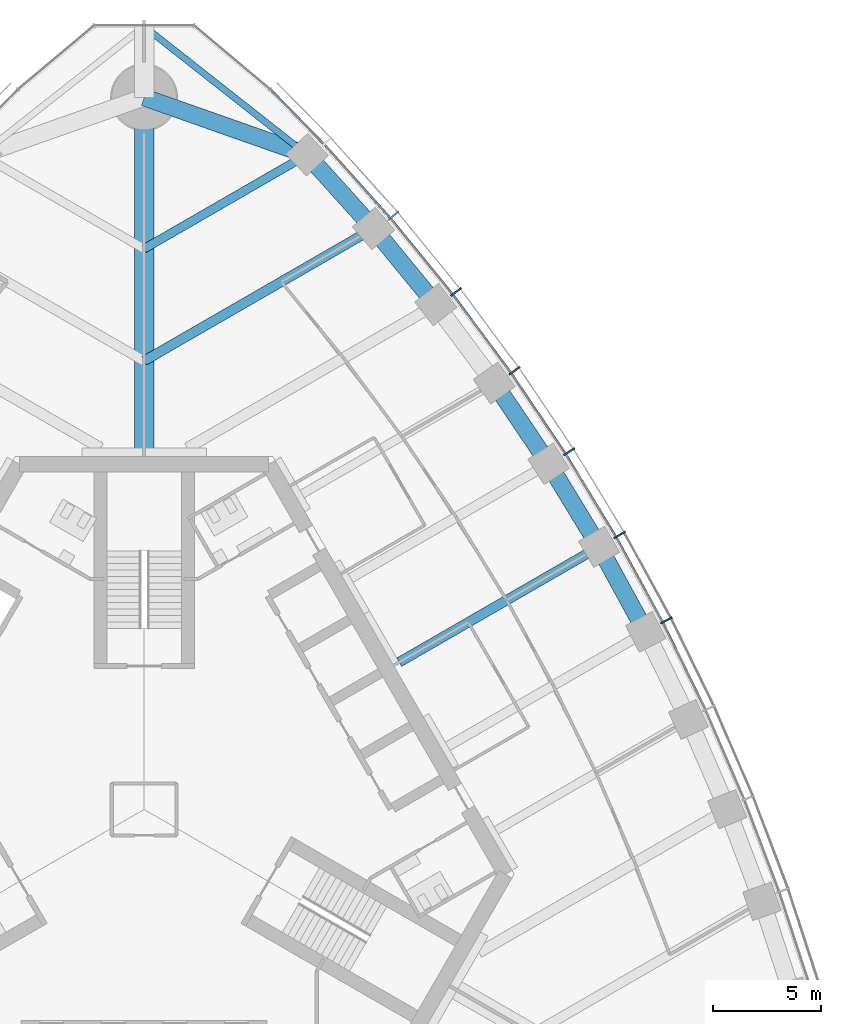
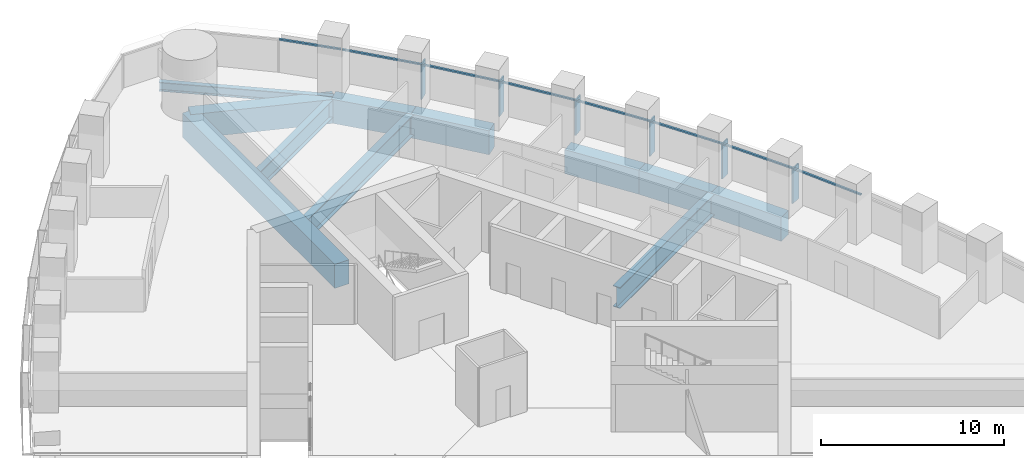
# One storey, part 7 of 19: 14 members, 11 beams, 1 element without a shape of its own.
"""IFC4 building model written with IfcOpenShell, lengths in metres."""

from ifc_helpers import new_model, si_unit, direction, frame, origin, origin_2d, place, context, subcontext, project, spatial, rectangle, i_section, extrude, material, material_profile, profile_set, type_object, element, aggregate, save


model = new_model("IFC4")

# Units and contexts
model_context = context("Model", 3, precision=1e-05, world=origin(), true_north=direction((0.0, 1.0)))
body_context = subcontext(model_context, "Body", "Model", "MODEL_VIEW")
ifc_project = project(units=[si_unit("LENGTHUNIT", "METRE"), si_unit("AREAUNIT", "SQUARE_METRE"), si_unit("VOLUMEUNIT", "CUBIC_METRE"), si_unit("PLANEANGLEUNIT", "RADIAN"), si_unit("MASSUNIT", "GRAM", prefix="KILO")], contexts=[model_context])

# Site, building, storey
site_placement = place(None, origin())
site = spatial("IfcSite", under=ifc_project, at=site_placement, CompositionType="ELEMENT")
building_placement = place(site_placement, origin())
building = spatial("IfcBuilding", under=site, at=building_placement, Name="Trefoil Bronze Tower", CompositionType="ELEMENT")
storey_placement = place(building_placement, frame((0.0, 0.0, 261.10009765625)))
storey = spatial("IfcBuildingStorey", under=building, at=storey_placement, Name="L60", CompositionType="ELEMENT", Elevation=261.10009765625)

# Curtain wall, members
ifc_material_1 = material(Name="Tinted solar-control glass", Category="glass")
curtain_wall_type = type_object("IfcCurtainWallType", Name="Bronze office curtain wall", PredefinedType="USERDEFINED", material=ifc_material_1)
curtain_wall_placement = place(storey_placement, origin())
curtain_wall = element("IfcCurtainWall", 1, at=curtain_wall_placement, inside=storey, type_object=curtain_wall_type, Name="CW-A L60 F2", ObjectType="CURTAIN WALL", PredefinedType="USERDEFINED")
ifc_material_2 = material(Name="Bronze-finish aluminium", Category="aluminium")
ifc_material_profile_1 = material_profile(ifc_material_2, rectangle(XDim=0.60009765625, YDim=0.080078125, at=origin_2d()), Name="CW-A mullion")
ifc_profile_set_1 = profile_set([ifc_material_profile_1], Name="Bronze-finish aluminium")
member_type_1 = type_object("IfcMemberType", Name="Bronze office curtain wall mullion", PredefinedType="MULLION", material=ifc_profile_set_1)
member_1_placement = place(storey_placement, frame((24.2080078125, 8.764404296875, 0.0), z_axis=(0.0, 0.0, 1.0), x_axis=(-0.888088206965, -0.459673075837, 0.0)))
member_1 = element("IfcMember", 2, at=member_1_placement, type_object=member_type_1, Name="CW-A L60 F2 mullion 6", PredefinedType="MULLION", context=body_context, shape_type="SweptSolid", body=[
    extrude(rectangle(XDim=0.60009765625, YDim=0.080078125, at=origin_2d()), origin(), (0.0, 0.0, 1.0), 2.349853515625),
])
member_2_placement = place(storey_placement, frame((22.041015625, 12.725341796875, 0.0), z_axis=(0.0, 0.0, 1.0), x_axis=(-0.866025403784, -0.5, 0.0)))
member_2 = element("IfcMember", 3, at=member_2_placement, type_object=member_type_1, Name="CW-A L60 F2 mullion 7", PredefinedType="MULLION", context=body_context, shape_type="SweptSolid", body=[
    extrude(rectangle(XDim=0.60009765625, YDim=0.080078125, at=origin_2d()), origin(), (0.0, 0.0, 1.0), 2.349853515625),
])
member_3_placement = place(storey_placement, frame((19.694091796875, 16.58251953125, 0.0), z_axis=(0.0, 0.0, 1.0), x_axis=(-0.842132664593, -0.539270410114, 0.0)))
member_3 = element("IfcMember", 4, at=member_3_placement, type_object=member_type_1, Name="CW-A L60 F2 mullion 8", PredefinedType="MULLION", context=body_context, shape_type="SweptSolid", body=[
    extrude(rectangle(XDim=0.60009765625, YDim=0.080078125, at=origin_2d()), origin(), (0.0, 0.0, 1.0), 2.349853515625),
])
member_4_placement = place(storey_placement, frame((17.167236328125, 20.335693359375, 0.0), z_axis=(0.0, 0.0, 1.0), x_axis=(-0.81640398396, -0.577481198806, 0.0)))
member_4 = element("IfcMember", 5, at=member_4_placement, type_object=member_type_1, Name="CW-A L60 F2 mullion 9", PredefinedType="MULLION", context=body_context, shape_type="SweptSolid", body=[
    extrude(rectangle(XDim=0.60009765625, YDim=0.080078125, at=origin_2d()), origin(), (0.0, 0.0, 1.0), 2.349853515625),
])
member_5_placement = place(storey_placement, frame((14.45849609375, 23.98388671875, 0.0), z_axis=(0.0, 0.0, 1.0), x_axis=(-0.788821461078, -0.614622406476, 0.0)))
member_5 = element("IfcMember", 6, at=member_5_placement, type_object=member_type_1, Name="CW-A L60 F2 mullion 10", PredefinedType="MULLION", context=body_context, shape_type="SweptSolid", body=[
    extrude(rectangle(XDim=0.60009765625, YDim=0.080078125, at=origin_2d()), origin(), (0.0, 0.0, 1.0), 2.349853515625),
])
member_6_placement = place(storey_placement, frame((11.564697265625, 27.525146484375, 0.0), z_axis=(0.0, 0.0, 1.0), x_axis=(-0.75935470958, -0.650676897576, 0.0)))
member_6 = element("IfcMember", 7, at=member_6_placement, type_object=member_type_1, Name="CW-A L60 F2 mullion 11", PredefinedType="MULLION", context=body_context, shape_type="SweptSolid", body=[
    extrude(rectangle(XDim=0.60009765625, YDim=0.080078125, at=origin_2d()), origin(), (0.0, 0.0, 1.0), 2.349853515625),
])
ifc_material_3 = material(Name="Bronze-finish aluminium", Category="aluminium")
ifc_material_profile_2 = material_profile(ifc_material_3, rectangle(XDim=0.1201171875, YDim=0.10009765625, at=origin_2d()), Name="CW-A transom")
ifc_profile_set_2 = profile_set([ifc_material_profile_2], Name="Bronze-finish aluminium")
member_type_2 = type_object("IfcMemberType", Name="Bronze office curtain wall transom", PredefinedType="USERDEFINED", material=ifc_profile_set_2)
member_7_placement = place(storey_placement, frame((25.99462890625, 4.65380859375, 2.2998046875), z_axis=(-0.439150835991, 0.898413347657, 0.0), x_axis=(-0.898413347657, -0.439150835991, 0.0)))
member_7 = element("IfcMember", 8, at=member_7_placement, type_object=member_type_2, Name="CW-A L60 F2 transom 5", ObjectType="TRANSOM", PredefinedType="USERDEFINED", context=body_context, shape_type="SweptSolid", body=[
    extrude(rectangle(XDim=0.1201171875, YDim=0.10009765625, at=origin_2d()), origin(), (0.0, 0.0, 1.0), 4.430908203125),
])
member_8_placement = place(storey_placement, frame((24.010009765625, 8.70947265625, 2.2998046875), z_axis=(-0.479973729071, 0.877282861683, 0.0), x_axis=(-0.877282861683, -0.479973729071, 0.0)))
member_8 = element("IfcMember", 9, at=member_8_placement, type_object=member_type_2, Name="CW-A L60 F2 transom 6", ObjectType="TRANSOM", PredefinedType="USERDEFINED", context=body_context, shape_type="SweptSolid", body=[
    extrude(rectangle(XDim=0.1201171875, YDim=0.10009765625, at=origin_2d()), origin(), (0.0, 0.0, 1.0), 4.421142578125),
])
member_9_placement = place(storey_placement, frame((21.845703125, 12.661376953125, 2.2998046875), z_axis=(-0.519740214649, 0.854324358354, 0.0), x_axis=(-0.854324358354, -0.519740214649, 0.0)))
member_9 = element("IfcMember", 10, at=member_9_placement, type_object=member_type_2, Name="CW-A L60 F2 transom 7", ObjectType="TRANSOM", PredefinedType="USERDEFINED", context=body_context, shape_type="SweptSolid", body=[
    extrude(rectangle(XDim=0.1201171875, YDim=0.10009765625, at=origin_2d()), origin(), (0.0, 0.0, 1.0), 4.421142578125),
])
member_10_placement = place(storey_placement, frame((19.502197265625, 16.509765625, 2.2998046875), z_axis=(-0.558509087547, 0.829498402125, 0.0), x_axis=(-0.829498402125, -0.558509087547, 0.0)))
member_10 = element("IfcMember", 11, at=member_10_placement, type_object=member_type_2, Name="CW-A L60 F2 transom 8", ObjectType="TRANSOM", PredefinedType="USERDEFINED", context=body_context, shape_type="SweptSolid", body=[
    extrude(rectangle(XDim=0.1201171875, YDim=0.10009765625, at=origin_2d()), origin(), (0.0, 0.0, 1.0), 4.4306640625),
])
member_11_placement = place(storey_placement, frame((16.978759765625, 20.254150390625, 2.2998046875), z_axis=(-0.59614822717, 0.802874393191, 0.0), x_axis=(-0.802874393191, -0.59614822717, 0.0)))
member_11 = element("IfcMember", 12, at=member_11_placement, type_object=member_type_2, Name="CW-A L60 F2 transom 9", ObjectType="TRANSOM", PredefinedType="USERDEFINED", context=body_context, shape_type="SweptSolid", body=[
    extrude(rectangle(XDim=0.1201171875, YDim=0.10009765625, at=origin_2d()), origin(), (0.0, 0.0, 1.0), 4.449951171875),
])
member_12_placement = place(storey_placement, frame((14.27392578125, 23.8935546875, 2.2998046875), z_axis=(-0.632756871921, 0.774350528531, 0.0), x_axis=(-0.774350528531, -0.632756871921, 0.0)))
member_12 = element("IfcMember", 13, at=member_12_placement, type_object=member_type_2, Name="CW-A L60 F2 transom 10", ObjectType="TRANSOM", PredefinedType="USERDEFINED", context=body_context, shape_type="SweptSolid", body=[
    extrude(rectangle(XDim=0.1201171875, YDim=0.10009765625, at=origin_2d()), origin(), (0.0, 0.0, 1.0), 4.4794921875),
])
member_13_placement = place(storey_placement, frame((11.384521484375, 27.426513671875, 2.2998046875), z_axis=(-0.66825109551, 0.743935799213, 0.0), x_axis=(-0.743935799213, -0.66825109551, 0.0)))
member_13 = element("IfcMember", 14, at=member_13_placement, type_object=member_type_2, Name="CW-A L60 F2 transom 11", ObjectType="TRANSOM", PredefinedType="USERDEFINED", context=body_context, shape_type="SweptSolid", body=[
    extrude(rectangle(XDim=0.1201171875, YDim=0.10009765625, at=origin_2d()), origin(), (0.0, 0.0, 1.0), 4.519287109375),
])
member_14_placement = place(storey_placement, frame((8.306884765625, 30.85009765625, 2.2998046875), z_axis=(-0.698646935368, 0.715466602785, 0.0), x_axis=(-0.715466602785, -0.698646935368, 0.0)))
member_14 = element("IfcMember", 15, at=member_14_placement, type_object=member_type_2, Name="CW-A L60 F2 transom 12", ObjectType="TRANSOM", PredefinedType="USERDEFINED", context=body_context, shape_type="SweptSolid", body=[
    extrude(rectangle(XDim=0.1201171875, YDim=0.10009765625, at=origin_2d()), origin(), (0.0, 0.0, 1.0), 3.483642578125),
])
aggregate(curtain_wall, [member_1, member_2, member_3, member_4, member_5, member_6, member_7, member_8, member_9, member_10, member_11, member_12, member_13, member_14])

# Beams
ifc_material_4 = material(Name="Steel C355", Category="steel")
ifc_material_profile_3 = material_profile(ifc_material_4, i_section(OverallWidth=0.300048828125, OverallDepth=0.60009765625, WebThickness=0.015380859375, FlangeThickness=0.030029296875, FilletRadius=0.027099609375, at=origin_2d()), Name="HEB 600")
ifc_profile_set_3 = profile_set([ifc_material_profile_3], Name="Steel C355")
beam_type_1 = type_object("IfcBeamType", Name="Corner edge beam HEB 600", PredefinedType="BEAM", material=ifc_profile_set_3)
beam_1_placement = place(storey_placement, frame((7.552001953125, 30.3408203125, -0.5), z_axis=(-0.785805912008, 0.618473175371, 0.0), x_axis=(-0.618473175371, -0.785805912008, 0.0)))
element("IfcBeam", 16, at=beam_1_placement, inside=storey, type_object=beam_type_1, Name="Corner edge beam F2A L60", PredefinedType="BEAM", context=body_context, shape_type="SweptSolid", body=[
    extrude(i_section(OverallWidth=0.300048828125, OverallDepth=0.60009765625, WebThickness=0.015380859375, FlangeThickness=0.030029296875, FilletRadius=0.027099609375, at=origin_2d()), origin(), (0.0, 0.0, 1.0), 9.610595703125),
])
ifc_material_5 = material(Name="Concrete B80", Category="concrete")
ifc_material_profile_4 = material_profile(ifc_material_5, rectangle(XDim=0.89990234375, YDim=1.60009765625, at=origin_2d()), Name="RC 900x1600")
ifc_profile_set_4 = profile_set([ifc_material_profile_4], Name="Concrete B80")
beam_type_2 = type_object("IfcBeamType", Name="Corner girder RC 900x1600", PredefinedType="BEAM", material=ifc_profile_set_4)
beam_2_placement = place(storey_placement, frame((0.0, 16.35009765625, -1.0), z_axis=(0.0, 1.0, 0.0), x_axis=(-1.0, 0.0, 0.0)))
element("IfcBeam", 17, at=beam_2_placement, inside=storey, type_object=beam_type_2, Name="Corner girder K2 L60", PredefinedType="BEAM", context=body_context, shape_type="SweptSolid", body=[
    extrude(rectangle(XDim=0.89990234375, YDim=1.60009765625, at=origin_2d()), origin(), (0.0, 0.0, 1.0), 16.64990234375),
])
ifc_material_6 = material(Name="Concrete B80", Category="concrete")
ifc_material_profile_5 = material_profile(ifc_material_6, rectangle(XDim=0.800048828125, YDim=1.60009765625, at=origin_2d()), Name="RC 800x1600")
ifc_profile_set_5 = profile_set([ifc_material_profile_5], Name="Concrete B80")
beam_type_3 = type_object("IfcBeamType", Name="End spandrel beam RC 800x1600", PredefinedType="SPANDREL", material=ifc_profile_set_5)
beam_3_placement = place(storey_placement, frame((7.552001953125, 30.3408203125, -1.0), z_axis=(-0.943234397359, 0.332127794137, 0.0), x_axis=(-0.332127794137, -0.943234397359, 0.0)))
element("IfcBeam", 18, at=beam_3_placement, inside=storey, type_object=beam_type_3, Name="Spandrel F2.12 L60", PredefinedType="SPANDREL", context=body_context, shape_type="SweptSolid", body=[
    extrude(rectangle(XDim=0.800048828125, YDim=1.60009765625, at=origin_2d()), origin(), (0.0, 0.0, 1.0), 8.006591796875),
])
ifc_material_7 = material(Name="Steel C355", Category="steel")
ifc_material_profile_6 = material_profile(ifc_material_7, i_section(OverallWidth=0.39990234375, OverallDepth=1.199951171875, WebThickness=0.02001953125, FlangeThickness=0.0400390625, FilletRadius=0.010009765625, at=origin_2d()), Name="WPG 1200")
ifc_profile_set_6 = profile_set([ifc_material_profile_6], Name="Steel C355")
beam_type_4 = type_object("IfcBeamType", Name="Floor beam WPG 1200", PredefinedType="BEAM", material=ifc_profile_set_6)
beam_4_placement = place(storey_placement, frame((7.552001953125, 30.3408203125, -0.800048828125), z_axis=(-0.866027535932, -0.499996306993, 0.0), x_axis=(0.499996306993, -0.866027535932, 0.0)))
element("IfcBeam", 19, at=beam_4_placement, inside=storey, type_object=beam_type_4, Name="Floor beam F2/+5 L60", PredefinedType="BEAM", context=body_context, shape_type="SweptSolid", body=[
    extrude(i_section(OverallWidth=0.39990234375, OverallDepth=1.199951171875, WebThickness=0.02001953125, FlangeThickness=0.0400390625, FilletRadius=0.010009765625, at=origin_2d()), origin(), (0.0, 0.0, 1.0), 8.72021484375),
])
ifc_material_8 = material(Name="Steel C355", Category="steel")
ifc_material_profile_7 = material_profile(ifc_material_8, i_section(OverallWidth=0.449951171875, OverallDepth=1.39990234375, WebThickness=0.02294921875, FlangeThickness=0.044921875, FilletRadius=0.011962890625, at=origin_2d()), Name="WPG 1400")
ifc_profile_set_7 = profile_set([ifc_material_profile_7], Name="Steel C355")
beam_type_5 = type_object("IfcBeamType", Name="Floor beam WPG 1400", PredefinedType="BEAM", material=ifc_profile_set_7)
beam_5_placement = place(storey_placement, frame((21.08837890625, 12.17529296875, -0.900146484375), z_axis=(-0.86602601154, -0.499998947334, 0.0), x_axis=(0.499998947334, -0.86602601154, 0.0)))
element("IfcBeam", 20, at=beam_5_placement, inside=storey, type_object=beam_type_5, Name="Floor beam F2/+0 L60", PredefinedType="BEAM", context=body_context, shape_type="SweptSolid", body=[
    extrude(i_section(OverallWidth=0.449951171875, OverallDepth=1.39990234375, WebThickness=0.02294921875, FlangeThickness=0.044921875, FilletRadius=0.011962890625, at=origin_2d()), origin(), (0.0, 0.0, 1.0), 10.70068359375),
])
beam_6_placement = place(storey_placement, frame((10.632080078125, 26.923095703125, -0.900146484375), z_axis=(-0.866025635187, -0.499999599199, 0.0), x_axis=(0.499999599199, -0.866025635187, 0.0)))
element("IfcBeam", 21, at=beam_6_placement, inside=storey, type_object=beam_type_5, Name="Floor beam F2/+4 L60", PredefinedType="BEAM", context=body_context, shape_type="SweptSolid", body=[
    extrude(i_section(OverallWidth=0.449951171875, OverallDepth=1.39990234375, WebThickness=0.02294921875, FlangeThickness=0.044921875, FilletRadius=0.011962890625, at=origin_2d()), origin(), (0.0, 0.0, 1.0), 12.27685546875),
])
ifc_material_9 = material(Name="Concrete B80", Category="concrete")
ifc_material_profile_8 = material_profile(ifc_material_9, rectangle(XDim=0.800048828125, YDim=1.60009765625, at=origin_2d()), Name="RC 800x1600")
ifc_profile_set_8 = profile_set([ifc_material_profile_8], Name="Concrete B80")
beam_type_6 = type_object("IfcBeamType", Name="Spandrel beam RC 800x1600", PredefinedType="SPANDREL", material=ifc_profile_set_8)
for number, where, z_axis, x_axis, name in (
    (22, (23.248046875, 8.22607421875, -1.0), (-0.479801903802, 0.87737684783, 0.0), (-0.87737684783, -0.479801903802, 0.0), "Spandrel F2.6 L60"),
    (23, (21.08837890625, 12.17529296875, -1.0), (-0.519933181394, 0.854206934464, 0.0), (-0.854206934464, -0.519933181394, 0.0), "Spandrel F2.7 L60"),
):
    element("IfcBeam", number, at=place(storey_placement, frame(where, z_axis=z_axis, x_axis=x_axis)), inside=storey, type_object=beam_type_6, Name=name, PredefinedType="SPANDREL", context=body_context, shape_type="SweptSolid", body=[
        extrude(rectangle(XDim=0.800048828125, YDim=1.60009765625, at=origin_2d()), origin(), (0.0, 0.0, 1.0), 4.501220703125),
    ])
beam_7_placement = place(storey_placement, frame((18.748046875, 16.020263671875, -1.0), z_axis=(-0.558964302753, 0.829191719838, 0.0), x_axis=(-0.829191719838, -0.558964302753, 0.0)))
element("IfcBeam", 24, at=beam_7_placement, inside=storey, type_object=beam_type_6, Name="Spandrel F2.8 L60", PredefinedType="SPANDREL", context=body_context, shape_type="SweptSolid", body=[
    extrude(rectangle(XDim=0.800048828125, YDim=1.60009765625, at=origin_2d()), origin(), (0.0, 0.0, 1.0), 4.510986328125),
])
beam_8_placement = place(storey_placement, frame((13.522216796875, 23.3955078125, -1.0), z_axis=(-0.633753657863, 0.773534938542, 0.0), x_axis=(-0.773534938542, -0.633753657863, 0.0)))
element("IfcBeam", 25, at=beam_8_placement, inside=storey, type_object=beam_type_6, Name="Spandrel F2.10 L60", PredefinedType="SPANDREL", context=body_context, shape_type="SweptSolid", body=[
    extrude(rectangle(XDim=0.800048828125, YDim=1.60009765625, at=origin_2d()), origin(), (0.0, 0.0, 1.0), 4.560302734375),
])
beam_9_placement = place(storey_placement, frame((10.632080078125, 26.923095703125, -1.0), z_axis=(-0.669460045872, 0.742848064534, 0.0), x_axis=(-0.742848064534, -0.669460045872, 0.0)))
element("IfcBeam", 26, at=beam_9_placement, inside=storey, type_object=beam_type_6, Name="Spandrel F2.11 L60", PredefinedType="SPANDREL", context=body_context, shape_type="SweptSolid", body=[
    extrude(rectangle(XDim=0.800048828125, YDim=1.60009765625, at=origin_2d()), origin(), (0.0, 0.0, 1.0), 4.600830078125),
])

save(model, "model.ifc")
